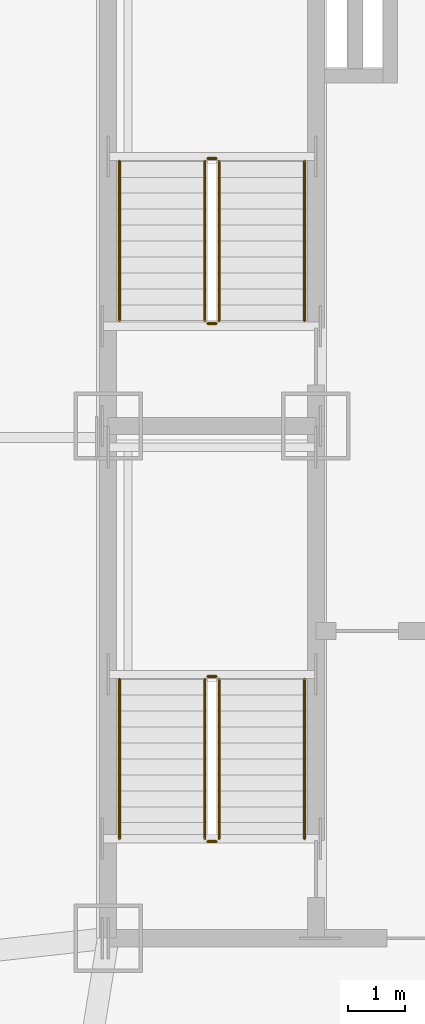
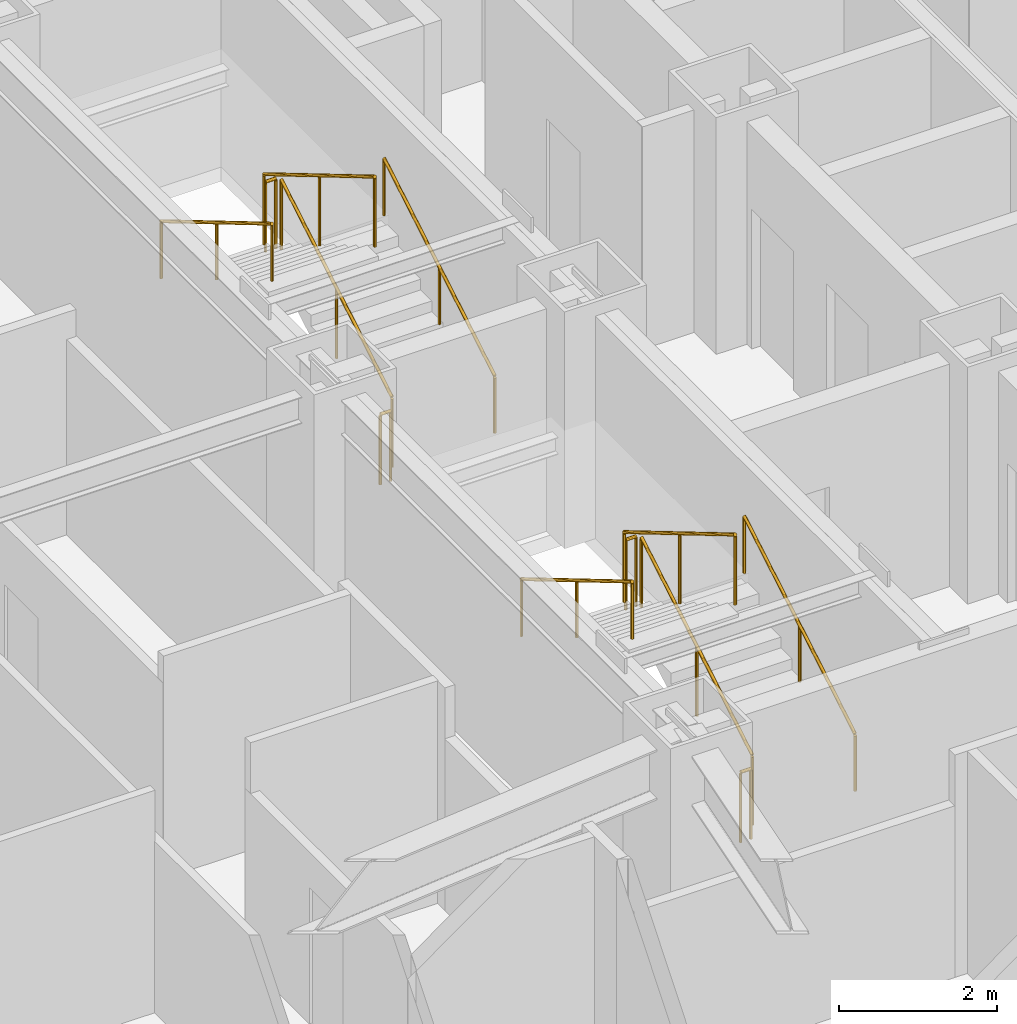
# One storey, part 12 of 12: 12 railings.
"""IFC4 building model written with IfcOpenShell, lengths in metres."""

from ifc_helpers import new_model, si_unit, direction, frame, origin, origin_2d, place, context, subcontext, project, spatial, circle, extrude, material, type_object, element, save


model = new_model("IFC4")

# Units and contexts
model_context = context("Model", 3, precision=1e-05, world=origin(), true_north=direction((0.0, 1.0)))
body_context = subcontext(model_context, "Body", "Model", "MODEL_VIEW")
ifc_project = project(units=[si_unit("LENGTHUNIT", "METRE"), si_unit("AREAUNIT", "SQUARE_METRE"), si_unit("VOLUMEUNIT", "CUBIC_METRE"), si_unit("PLANEANGLEUNIT", "RADIAN"), si_unit("MASSUNIT", "GRAM", prefix="KILO")], contexts=[model_context])

# Site, building, storey
site_placement = place(None, origin())
site = spatial("IfcSite", under=ifc_project, at=site_placement, CompositionType="ELEMENT")
building_placement = place(site_placement, origin())
building = spatial("IfcBuilding", under=site, at=building_placement, Name="Khamvora Tower", CompositionType="ELEMENT")
storey_placement = place(building_placement, frame((0.0, 0.0, 138.39990234375)))
storey = spatial("IfcBuildingStorey", under=building, at=storey_placement, Name="L35", CompositionType="ELEMENT", Elevation=138.39990234375)

# Railings
ifc_material_1 = material(Name="Brushed Stainless Steel 316", Category="steel")
railing_type_1 = type_object("IfcRailingType", Name="RAL-HDR-920", PredefinedType="HANDRAIL", material=ifc_material_1)
railing_1_placement = place(storey_placement, frame((32.449951171875, 20.75, 0.166015625)))
element("IfcRailing", 1, at=railing_1_placement, inside=storey, type_object=railing_type_1, Name="L35 ST-01 stair handrail 1", PredefinedType="HANDRAIL", context=body_context, shape_type="SweptSolid", body=[
    extrude(circle(Radius=0.02392578125, at=origin_2d()), frame((0.0, 0.0, 0.8759765625), z_axis=(0.0, 0.860306154799, 0.50977771628), x_axis=(-1.0, 0.0, 0.0)), (0.0, 0.0, 1.0), 3.254638671875),
    extrude(circle(Radius=0.02099609375, at=origin_2d()), origin(), (0.0, 0.0, 1.0), 0.851806640625),
    extrude(circle(Radius=0.02099609375, at=origin_2d()), frame((0.0, 1.39990234375, 0.82958984375)), (0.0, 0.0, 1.0), 0.851806640625),
    extrude(circle(Radius=0.02099609375, at=origin_2d()), frame((0.0, 2.800048828125, 1.6591796875)), (0.0, 0.0, 1.0), 0.851806640625),
])
railing_2_placement = place(storey_placement, frame((29.199951171875, 23.550048828125, 1.990966796875)))
element("IfcRailing", 2, at=railing_2_placement, inside=storey, type_object=railing_type_1, Name="L35 ST-01 stair handrail 2", PredefinedType="HANDRAIL", context=body_context, shape_type="SweptSolid", body=[
    extrude(circle(Radius=0.02392578125, at=origin_2d()), frame((0.0, 0.0, 0.8759765625), z_axis=(0.0, -0.860306154799, 0.50977771628), x_axis=(1.0, 0.0, 0.0)), (0.0, 0.0, 1.0), 3.254638671875),
    extrude(circle(Radius=0.02099609375, at=origin_2d()), origin(), (0.0, 0.0, 1.0), 0.851806640625),
    extrude(circle(Radius=0.02099609375, at=origin_2d()), frame((0.0, -1.39990234375, 0.82958984375)), (0.0, 0.0, 1.0), 0.851806640625),
    extrude(circle(Radius=0.02099609375, at=origin_2d()), frame((0.0, -2.800048828125, 1.6591796875)), (0.0, 0.0, 1.0), 0.851806640625),
])
railing_3_placement = place(storey_placement, frame((32.449951171875, 29.85009765625, 0.166015625)))
element("IfcRailing", 3, at=railing_3_placement, inside=storey, type_object=railing_type_1, Name="L35 ST-02 stair handrail 1", PredefinedType="HANDRAIL", context=body_context, shape_type="SweptSolid", body=[
    extrude(circle(Radius=0.02392578125, at=origin_2d()), frame((0.0, 0.0, 0.8759765625), z_axis=(0.0, 0.860286659441, 0.509810615413), x_axis=(-1.0, 0.0, 0.0)), (0.0, 0.0, 1.0), 3.25439453125),
    extrude(circle(Radius=0.02099609375, at=origin_2d()), origin(), (0.0, 0.0, 1.0), 0.851806640625),
    extrude(circle(Radius=0.02099609375, at=origin_2d()), frame((0.0, 1.39990234375, 0.82958984375)), (0.0, 0.0, 1.0), 0.851806640625),
    extrude(circle(Radius=0.02099609375, at=origin_2d()), frame((0.0, 2.7998046875, 1.6591796875)), (0.0, 0.0, 1.0), 0.851806640625),
])
railing_4_placement = place(storey_placement, frame((29.199951171875, 32.64990234375, 1.990966796875)))
element("IfcRailing", 4, at=railing_4_placement, inside=storey, type_object=railing_type_1, Name="L35 ST-02 stair handrail 2", PredefinedType="HANDRAIL", context=body_context, shape_type="SweptSolid", body=[
    extrude(circle(Radius=0.02392578125, at=origin_2d()), frame((0.0, 0.0, 0.8759765625), z_axis=(0.0, -0.860286659441, 0.509810615413), x_axis=(1.0, 0.0, 0.0)), (0.0, 0.0, 1.0), 3.25439453125),
    extrude(circle(Radius=0.02099609375, at=origin_2d()), origin(), (0.0, 0.0, 1.0), 0.851806640625),
    extrude(circle(Radius=0.02099609375, at=origin_2d()), frame((0.0, -1.39990234375, 0.82958984375)), (0.0, 0.0, 1.0), 0.851806640625),
    extrude(circle(Radius=0.02099609375, at=origin_2d()), frame((0.0, -2.7998046875, 1.6591796875)), (0.0, 0.0, 1.0), 0.851806640625),
])
ifc_material_2 = material(Name="Stainless Steel 316", Category="steel")
railing_type_2 = type_object("IfcRailingType", Name="RAL-STG-1100", PredefinedType="GUARDRAIL", material=ifc_material_2)
railing_5_placement = place(storey_placement, frame((30.949951171875, 20.75, 0.166015625)))
element("IfcRailing", 5, at=railing_5_placement, inside=storey, type_object=railing_type_2, Name="L35 ST-01 stair guard 1", PredefinedType="GUARDRAIL", context=body_context, shape_type="SweptSolid", body=[
    extrude(circle(Radius=0.02392578125, at=origin_2d()), frame((0.0, 0.0, 1.076171875), z_axis=(0.0, 0.860306154799, 0.50977771628), x_axis=(-1.0, 0.0, 0.0)), (0.0, 0.0, 1.0), 3.254638671875),
    extrude(circle(Radius=0.02099609375, at=origin_2d()), origin(), (0.0, 0.0, 1.0), 1.052001953125),
    extrude(circle(Radius=0.02099609375, at=origin_2d()), frame((0.0, 1.39990234375, 0.82958984375)), (0.0, 0.0, 1.0), 1.052001953125),
    extrude(circle(Radius=0.02099609375, at=origin_2d()), frame((0.0, 2.800048828125, 1.6591796875)), (0.0, 0.0, 1.0), 1.052001953125),
])
railing_6_placement = place(storey_placement, frame((30.89990234375, 23.60009765625, 1.8251953125)))
element("IfcRailing", 6, at=railing_6_placement, inside=storey, type_object=railing_type_2, Name="L35 ST-01 stair guard 2", PredefinedType="GUARDRAIL", context=body_context, shape_type="SweptSolid", body=[
    extrude(circle(Radius=0.02392578125, at=origin_2d()), frame((0.0, 0.0, 1.076171875), z_axis=(-1.0, 0.0, 0.0), x_axis=(0.0, -1.0, 0.0)), (0.0, 0.0, 1.0), 0.14990234375),
    extrude(circle(Radius=0.02099609375, at=origin_2d()), origin(), (0.0, 0.0, 1.0), 1.052001953125),
    extrude(circle(Radius=0.02099609375, at=origin_2d()), frame((-0.14990234375, 0.0, 0.0)), (0.0, 0.0, 1.0), 1.052001953125),
])
railing_7_placement = place(storey_placement, frame((30.699951171875, 23.550048828125, 1.990966796875)))
element("IfcRailing", 7, at=railing_7_placement, inside=storey, type_object=railing_type_2, Name="L35 ST-01 stair guard 3", PredefinedType="GUARDRAIL", context=body_context, shape_type="SweptSolid", body=[
    extrude(circle(Radius=0.02392578125, at=origin_2d()), frame((0.0, 0.0, 1.076171875), z_axis=(0.0, -0.860306154799, 0.50977771628), x_axis=(1.0, 0.0, 0.0)), (0.0, 0.0, 1.0), 3.254638671875),
    extrude(circle(Radius=0.02099609375, at=origin_2d()), origin(), (0.0, 0.0, 1.0), 1.052001953125),
    extrude(circle(Radius=0.02099609375, at=origin_2d()), frame((0.0, -1.39990234375, 0.82958984375)), (0.0, 0.0, 1.0), 1.052001953125),
    extrude(circle(Radius=0.02099609375, at=origin_2d()), frame((0.0, -2.800048828125, 1.6591796875)), (0.0, 0.0, 1.0), 1.052001953125),
])
railing_8_placement = place(storey_placement, frame((30.89990234375, 20.699951171875, 0.0)))
element("IfcRailing", 8, at=railing_8_placement, inside=storey, type_object=railing_type_2, Name="L35 ST-01 stair guard 4", PredefinedType="GUARDRAIL", context=body_context, shape_type="SweptSolid", body=[
    extrude(circle(Radius=0.02392578125, at=origin_2d()), frame((0.0, 0.0, 1.076171875), z_axis=(-1.0, 0.0, 0.0), x_axis=(0.0, -1.0, 0.0)), (0.0, 0.0, 1.0), 0.14990234375),
    extrude(circle(Radius=0.02099609375, at=origin_2d()), origin(), (0.0, 0.0, 1.0), 1.052001953125),
    extrude(circle(Radius=0.02099609375, at=origin_2d()), frame((-0.14990234375, 0.0, 0.0)), (0.0, 0.0, 1.0), 1.052001953125),
])
railing_9_placement = place(storey_placement, frame((30.949951171875, 29.85009765625, 0.166015625)))
element("IfcRailing", 9, at=railing_9_placement, inside=storey, type_object=railing_type_2, Name="L35 ST-02 stair guard 1", PredefinedType="GUARDRAIL", context=body_context, shape_type="SweptSolid", body=[
    extrude(circle(Radius=0.02392578125, at=origin_2d()), frame((0.0, 0.0, 1.076171875), z_axis=(0.0, 0.860286659441, 0.509810615413), x_axis=(-1.0, 0.0, 0.0)), (0.0, 0.0, 1.0), 3.25439453125),
    extrude(circle(Radius=0.02099609375, at=origin_2d()), origin(), (0.0, 0.0, 1.0), 1.052001953125),
    extrude(circle(Radius=0.02099609375, at=origin_2d()), frame((0.0, 1.39990234375, 0.82958984375)), (0.0, 0.0, 1.0), 1.052001953125),
    extrude(circle(Radius=0.02099609375, at=origin_2d()), frame((0.0, 2.7998046875, 1.6591796875)), (0.0, 0.0, 1.0), 1.052001953125),
])
railing_10_placement = place(storey_placement, frame((30.89990234375, 32.699951171875, 1.8251953125)))
element("IfcRailing", 10, at=railing_10_placement, inside=storey, type_object=railing_type_2, Name="L35 ST-02 stair guard 2", PredefinedType="GUARDRAIL", context=body_context, shape_type="SweptSolid", body=[
    extrude(circle(Radius=0.02392578125, at=origin_2d()), frame((0.0, 0.0, 1.076171875), z_axis=(-1.0, 0.0, 0.0), x_axis=(0.0, -1.0, 0.0)), (0.0, 0.0, 1.0), 0.14990234375),
    extrude(circle(Radius=0.02099609375, at=origin_2d()), origin(), (0.0, 0.0, 1.0), 1.052001953125),
    extrude(circle(Radius=0.02099609375, at=origin_2d()), frame((-0.14990234375, 0.0, 0.0)), (0.0, 0.0, 1.0), 1.052001953125),
])
railing_11_placement = place(storey_placement, frame((30.699951171875, 32.64990234375, 1.990966796875)))
element("IfcRailing", 11, at=railing_11_placement, inside=storey, type_object=railing_type_2, Name="L35 ST-02 stair guard 3", PredefinedType="GUARDRAIL", context=body_context, shape_type="SweptSolid", body=[
    extrude(circle(Radius=0.02392578125, at=origin_2d()), frame((0.0, 0.0, 1.076171875), z_axis=(0.0, -0.860286659441, 0.509810615413), x_axis=(1.0, 0.0, 0.0)), (0.0, 0.0, 1.0), 3.25439453125),
    extrude(circle(Radius=0.02099609375, at=origin_2d()), origin(), (0.0, 0.0, 1.0), 1.052001953125),
    extrude(circle(Radius=0.02099609375, at=origin_2d()), frame((0.0, -1.39990234375, 0.82958984375)), (0.0, 0.0, 1.0), 1.052001953125),
    extrude(circle(Radius=0.02099609375, at=origin_2d()), frame((0.0, -2.7998046875, 1.6591796875)), (0.0, 0.0, 1.0), 1.052001953125),
])
railing_12_placement = place(storey_placement, frame((30.89990234375, 29.800048828125, 0.0)))
element("IfcRailing", 12, at=railing_12_placement, inside=storey, type_object=railing_type_2, Name="L35 ST-02 stair guard 4", PredefinedType="GUARDRAIL", context=body_context, shape_type="SweptSolid", body=[
    extrude(circle(Radius=0.02392578125, at=origin_2d()), frame((0.0, 0.0, 1.076171875), z_axis=(-1.0, 0.0, 0.0), x_axis=(0.0, -1.0, 0.0)), (0.0, 0.0, 1.0), 0.14990234375),
    extrude(circle(Radius=0.02099609375, at=origin_2d()), origin(), (0.0, 0.0, 1.0), 1.052001953125),
    extrude(circle(Radius=0.02099609375, at=origin_2d()), frame((-0.14990234375, 0.0, 0.0)), (0.0, 0.0, 1.0), 1.052001953125),
])

save(model, "model.ifc")
